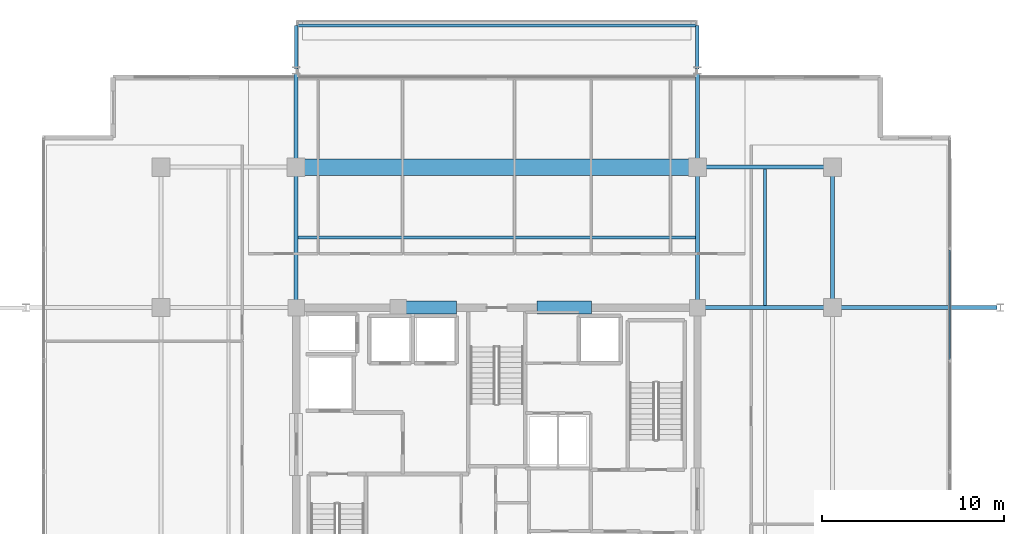
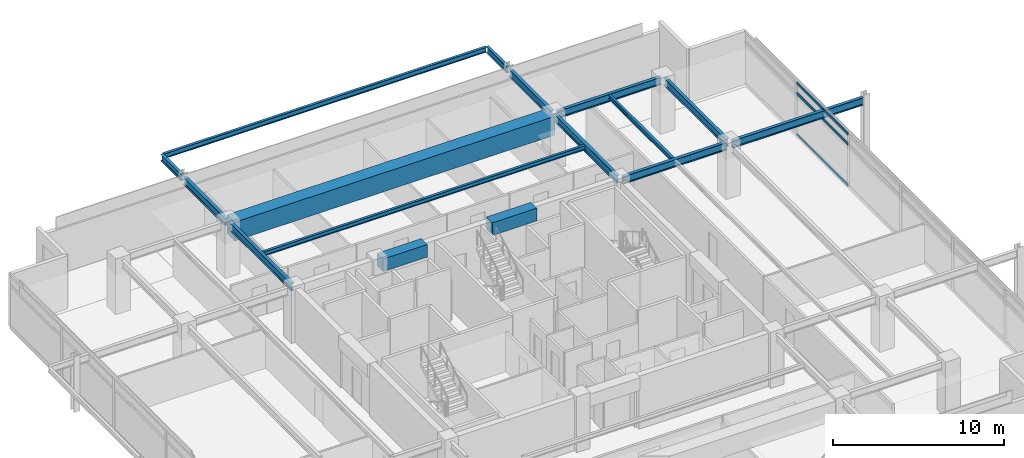
# One storey, part 11 of 21: 16 beams, 3 members, 1 element without a shape of its own.
"""IFC4 building model written with IfcOpenShell, lengths in metres."""

from ifc_helpers import new_model, si_unit, direction, frame, origin, origin_2d, place, context, subcontext, project, spatial, rectangle, hollow_rectangle, i_section, extrude, material, material_profile, profile_set, type_object, element, aggregate, save


model = new_model("IFC4")

# Units and contexts
model_context = context("Model", 3, precision=1e-05, world=origin(), true_north=direction((0.0, 1.0)))
body_context = subcontext(model_context, "Body", "Model", "MODEL_VIEW")
ifc_project = project(units=[si_unit("LENGTHUNIT", "METRE"), si_unit("AREAUNIT", "SQUARE_METRE"), si_unit("VOLUMEUNIT", "CUBIC_METRE"), si_unit("PLANEANGLEUNIT", "RADIAN"), si_unit("MASSUNIT", "GRAM", prefix="KILO")], contexts=[model_context])

# Site, building, storey
site_placement = place(None, origin())
site = spatial("IfcSite", under=ifc_project, at=site_placement, CompositionType="ELEMENT")
building_placement = place(site_placement, origin())
building = spatial("IfcBuilding", under=site, at=building_placement, Name="Kovane Verandah Tower", CompositionType="ELEMENT")
storey_placement = place(building_placement, frame((0.0, 0.0, 326.800048828125)))
storey = spatial("IfcBuildingStorey", under=building, at=storey_placement, Name="L76", CompositionType="ELEMENT", Elevation=326.800048828125)

# Beams
ifc_material_1 = material(Name="Concrete C60/75", Category="concrete")
ifc_material_profile_1 = material_profile(ifc_material_1, rectangle(XDim=0.699951171875, YDim=0.89990234375, at=origin_2d()), Name="RCB700x900")
ifc_profile_set_1 = profile_set([ifc_material_profile_1], Name="Concrete C60/75")
beam_type_1 = type_object("IfcBeamType", Name="BM-LINTEL-700x900", PredefinedType="LINTEL", material=ifc_profile_set_1)
for number, where, z_axis, x_axis, name in (
    (1, (34.800048828125, 36.5, 3.3349609375), (1.0, 0.0, 0.0), (0.0, 1.0, 0.0), "L76 Core Coupling Lintel CL-N1"),
    (2, (42.199951171875, 36.5, 3.3349609375), (1.0, 0.0, 0.0), (0.0, 1.0, 0.0), "L76 Core Coupling Lintel CL-N2"),
):
    element("IfcBeam", number, at=place(storey_placement, frame(where, z_axis=z_axis, x_axis=x_axis)), inside=storey, type_object=beam_type_1, Name=name, PredefinedType="LINTEL", context=body_context, shape_type="SweptSolid", body=[
        extrude(rectangle(XDim=0.699951171875, YDim=0.89990234375, at=origin_2d()), origin(), (0.0, 0.0, 1.0), 3.0),
    ])
ifc_material_2 = material(Name="Concrete C80/95", Category="concrete")
ifc_material_profile_2 = material_profile(ifc_material_2, rectangle(XDim=0.89990234375, YDim=1.35009765625, at=origin_2d()), Name="RCB900x1350")
ifc_profile_set_2 = profile_set([ifc_material_profile_2], Name="Concrete C80/95")
beam_type_2 = type_object("IfcBeamType", Name="BM-TR-900x1350", PredefinedType="BEAM", material=ifc_profile_set_2)
beam_1_placement = place(storey_placement, frame((29.179931640625, 44.199951171875, 3.10986328125), z_axis=(1.0, 0.0, 0.0), x_axis=(0.0, 1.0, 0.0)))
element("IfcBeam", 3, at=beam_1_placement, inside=storey, type_object=beam_type_2, Name="L76 Primary Tower Girder G-RN2", PredefinedType="BEAM", context=body_context, shape_type="SweptSolid", body=[
    extrude(rectangle(XDim=0.89990234375, YDim=1.35009765625, at=origin_2d()), origin(), (0.0, 0.0, 1.0), 21.64013671875),
])
ifc_material_3 = material(Name="Steel S355", Category="steel")
ifc_material_profile_3 = material_profile(ifc_material_3, i_section(OverallWidth=0.2119140625, OverallDepth=0.54443359375, WebThickness=0.0126953125, FlangeThickness=0.021240234375, FilletRadius=0.0126953125, at=origin_2d()), Name="UB533x210x122")
ifc_profile_set_3 = profile_set([ifc_material_profile_3], Name="Steel S355")
beam_type_3 = type_object("IfcBeamType", Name="BM-UB533x122", PredefinedType="BEAM", material=ifc_profile_set_3)
beam_2_placement = place(storey_placement, frame((51.179931640625, 44.199951171875, 3.5126953125), z_axis=(1.0, 0.0, 0.0), x_axis=(0.0, 1.0, 0.0)))
element("IfcBeam", 4, at=beam_2_placement, inside=storey, type_object=beam_type_3, Name="L76 Primary Tower Girder G-RN3", PredefinedType="BEAM", context=body_context, shape_type="SweptSolid", body=[
    extrude(i_section(OverallWidth=0.2119140625, OverallDepth=0.54443359375, WebThickness=0.0126953125, FlangeThickness=0.021240234375, FilletRadius=0.0126953125, at=origin_2d()), origin(), (0.0, 0.0, 1.0), 7.0400390625),
])
beam_3_placement = place(storey_placement, frame((58.39990234375, 36.679931640625, 3.5126953125), z_axis=(0.0, 1.0, 0.0), x_axis=(-1.0, 0.0, 0.0)))
element("IfcBeam", 5, at=beam_3_placement, inside=storey, type_object=beam_type_3, Name="L76 Primary Tower Girder G-RE3", PredefinedType="BEAM", context=body_context, shape_type="SweptSolid", body=[
    extrude(i_section(OverallWidth=0.2119140625, OverallDepth=0.54443359375, WebThickness=0.0126953125, FlangeThickness=0.021240234375, FilletRadius=0.0126953125, at=origin_2d()), origin(), (0.0, 0.0, 1.0), 7.340087890625),
])
beam_4_placement = place(storey_placement, frame((51.179931640625, 36.5, 3.5126953125), z_axis=(1.0, 0.0, 0.0), x_axis=(0.0, 1.0, 0.0)))
element("IfcBeam", 6, at=beam_4_placement, inside=storey, type_object=beam_type_3, Name="L76 Primary Tower Girder G-E2", PredefinedType="BEAM", context=body_context, shape_type="SweptSolid", body=[
    extrude(i_section(OverallWidth=0.2119140625, OverallDepth=0.54443359375, WebThickness=0.0126953125, FlangeThickness=0.021240234375, FilletRadius=0.0126953125, at=origin_2d()), origin(), (0.0, 0.0, 1.0), 7.0400390625),
])
for number, where, z_axis, x_axis, name in (
    (7, (29.0, 36.679931640625, 3.5126953125), (0.0, 1.0, 0.0), (-1.0, 0.0, 0.0), "L76 Primary Tower Girder G-N1"),
    (8, (51.0, 36.679931640625, 3.5126953125), (0.0, 1.0, 0.0), (-1.0, 0.0, 0.0), "L76 Primary Tower Girder G-N2"),
):
    element("IfcBeam", number, at=place(storey_placement, frame(where, z_axis=z_axis, x_axis=x_axis)), inside=storey, type_object=beam_type_3, Name=name, PredefinedType="BEAM", context=body_context, shape_type="SweptSolid", body=[
        extrude(i_section(OverallWidth=0.2119140625, OverallDepth=0.54443359375, WebThickness=0.0126953125, FlangeThickness=0.021240234375, FilletRadius=0.0126953125, at=origin_2d()), origin(), (0.0, 0.0, 1.0), 7.340087890625),
    ])
beam_5_placement = place(storey_placement, frame((58.580078125, 36.5, 3.48779296875), z_axis=(1.0, 0.0, 0.0), x_axis=(0.0, 1.0, 0.0)))
element("IfcBeam", 9, at=beam_5_placement, inside=storey, type_object=beam_type_3, Name="L76 Primary Tower Girder G-VE2", PredefinedType="BEAM", context=body_context, shape_type="SweptSolid", body=[
    extrude(i_section(OverallWidth=0.2119140625, OverallDepth=0.54443359375, WebThickness=0.0126953125, FlangeThickness=0.021240234375, FilletRadius=0.0126953125, at=origin_2d()), origin(), (0.0, 0.0, 1.0), 8.83984375),
])
for number, where, z_axis, x_axis, name in (
    (10, (29.0, 44.3798828125, 3.48779296875), (0.0, 1.0, 0.0), (-1.0, 0.0, 0.0), "L76 Primary Tower Girder G-VN1"),
    (11, (51.0, 44.3798828125, 3.48779296875), (0.0, 1.0, 0.0), (-1.0, 0.0, 0.0), "L76 Primary Tower Girder G-VN2"),
):
    element("IfcBeam", number, at=place(storey_placement, frame(where, z_axis=z_axis, x_axis=x_axis)), inside=storey, type_object=beam_type_3, Name=name, PredefinedType="BEAM", context=body_context, shape_type="SweptSolid", body=[
        extrude(i_section(OverallWidth=0.2119140625, OverallDepth=0.54443359375, WebThickness=0.0126953125, FlangeThickness=0.021240234375, FilletRadius=0.0126953125, at=origin_2d()), origin(), (0.0, 0.0, 1.0), 4.940185546875),
    ])

# Curtain wall, members
ifc_material_4 = material(Name="Champagne Anodised Aluminium Frame with Low-E Clear Laminated Glass", Category="aluminium")
curtain_wall_type = type_object("IfcCurtainWallType", Name="CW-SYS-05-HIGH", PredefinedType="NOTDEFINED", material=ifc_material_4)
curtain_wall_placement = place(storey_placement, origin())
curtain_wall = element("IfcCurtainWall", 12, at=curtain_wall_placement, inside=storey, type_object=curtain_wall_type, Name="L76 E Unitised Curtain Wall", PredefinedType="NOTDEFINED")
ifc_material_5 = material(Name="Champagne Anodised Aluminium 6063-T6", Category="aluminium")
ifc_material_profile_4 = material_profile(ifc_material_5, hollow_rectangle(XDim=0.0849609375, YDim=0.18994140625, WallThickness=0.00390625, at=origin_2d()), Name="AL85x190x4")
ifc_profile_set_4 = profile_set([ifc_material_profile_4], Name="Champagne Anodised Aluminium 6063-T6")
member_type = type_object("IfcMemberType", Name="CW-TRN-85x190", PredefinedType="USERDEFINED", material=ifc_profile_set_4)
member_1_placement = place(storey_placement, frame((64.83154296875, 33.6552734375, 0.050048828125), z_axis=(0.0, 1.0, 0.0), x_axis=(-1.0, 0.0, 0.0)))
member_1 = element("IfcMember", 13, at=member_1_placement, type_object=member_type, Name="L76 E Unitised Curtain Wall Transom TB Bay 5", ObjectType="TRANSOM", PredefinedType="USERDEFINED", context=body_context, shape_type="SweptSolid", body=[
    extrude(hollow_rectangle(XDim=0.0849609375, YDim=0.18994140625, WallThickness=0.00390625, at=origin_2d()), origin(), (0.0, 0.0, 1.0), 6.005126953125),
])
member_2_placement = place(storey_placement, frame((64.83154296875, 33.6552734375, 3.0048828125), z_axis=(0.0, 1.0, 0.0), x_axis=(-1.0, 0.0, 0.0)))
member_2 = element("IfcMember", 14, at=member_2_placement, type_object=member_type, Name="L76 E Unitised Curtain Wall Transom TM Bay 5", ObjectType="TRANSOM", PredefinedType="USERDEFINED", context=body_context, shape_type="SweptSolid", body=[
    extrude(hollow_rectangle(XDim=0.0849609375, YDim=0.18994140625, WallThickness=0.00390625, at=origin_2d()), origin(), (0.0, 0.0, 1.0), 6.005126953125),
])
member_3_placement = place(storey_placement, frame((64.83154296875, 33.6552734375, 3.73486328125), z_axis=(0.0, 1.0, 0.0), x_axis=(-1.0, 0.0, 0.0)))
member_3 = element("IfcMember", 15, at=member_3_placement, type_object=member_type, Name="L76 E Unitised Curtain Wall Transom TT Bay 5", ObjectType="TRANSOM", PredefinedType="USERDEFINED", context=body_context, shape_type="SweptSolid", body=[
    extrude(hollow_rectangle(XDim=0.0849609375, YDim=0.18994140625, WallThickness=0.00390625, at=origin_2d()), origin(), (0.0, 0.0, 1.0), 6.005126953125),
])
aggregate(curtain_wall, [member_1, member_2, member_3])

# Beams
ifc_material_profile_5 = material_profile(ifc_material_3, i_section(OverallWidth=0.1669921875, OverallDepth=0.310302734375, WebThickness=0.0078125, FlangeThickness=0.013671875, FilletRadius=0.0087890625, at=origin_2d()), Name="UB305x165x54")
ifc_profile_set_5 = profile_set([ifc_material_profile_5], Name="Steel S355")
beam_type_4 = type_object("IfcBeamType", Name="JST-UB305x54", PredefinedType="JOIST", material=ifc_profile_set_5)
beam_6_placement = place(storey_placement, frame((29.10400390625, 40.35009765625, 3.629638671875), z_axis=(1.0, 0.0, 0.0), x_axis=(0.0, 1.0, 0.0)))
element("IfcBeam", 16, at=beam_6_placement, inside=storey, type_object=beam_type_4, Name="L76 Secondary Composite Joist J-N1", PredefinedType="JOIST", context=body_context, shape_type="SweptSolid", body=[
    extrude(i_section(OverallWidth=0.1669921875, OverallDepth=0.310302734375, WebThickness=0.0078125, FlangeThickness=0.013671875, FilletRadius=0.0087890625, at=origin_2d()), origin(), (0.0, 0.0, 1.0), 21.7919921875),
])
beam_7_placement = place(storey_placement, frame((54.699951171875, 36.60400390625, 3.629638671875), z_axis=(0.0, 1.0, 0.0), x_axis=(-1.0, 0.0, 0.0)))
element("IfcBeam", 17, at=beam_7_placement, inside=storey, type_object=beam_type_4, Name="L76 Secondary Composite Joist J-NE1", PredefinedType="JOIST", context=body_context, shape_type="SweptSolid", body=[
    extrude(i_section(OverallWidth=0.1669921875, OverallDepth=0.310302734375, WebThickness=0.0078125, FlangeThickness=0.013671875, FilletRadius=0.0087890625, at=origin_2d()), origin(), (0.0, 0.0, 1.0), 7.491943359375),
])
ifc_material_profile_6 = material_profile(ifc_material_3, i_section(OverallWidth=0.19287109375, OverallDepth=0.46728515625, WebThickness=0.011474609375, FlangeThickness=0.01953125, FilletRadius=0.01025390625, at=origin_2d()), Name="UB457x191x98")
ifc_profile_set_6 = profile_set([ifc_material_profile_6], Name="Steel S355")
beam_type_5 = type_object("IfcBeamType", Name="JST-UB457x98", PredefinedType="JOIST", material=ifc_profile_set_6)
for number, where, z_axis, x_axis, name in (
    (18, (29.0, 49.580078125, 3.5263671875), (0.0, 1.0, 0.0), (-1.0, 0.0, 0.0), "L76 North Planter Girder 1"),
    (19, (51.0, 49.580078125, 3.5263671875), (0.0, 1.0, 0.0), (-1.0, 0.0, 0.0), "L76 North Planter Girder 2"),
):
    element("IfcBeam", number, at=place(storey_placement, frame(where, z_axis=z_axis, x_axis=x_axis)), inside=storey, type_object=beam_type_5, Name=name, PredefinedType="JOIST", context=body_context, shape_type="SweptSolid", body=[
        extrude(i_section(OverallWidth=0.19287109375, OverallDepth=0.46728515625, WebThickness=0.011474609375, FlangeThickness=0.01953125, FilletRadius=0.01025390625, at=origin_2d()), origin(), (0.0, 0.0, 1.0), 2.38818359375),
    ])
ifc_material_profile_7 = material_profile(ifc_material_3, i_section(OverallWidth=0.173095703125, OverallDepth=0.36328125, WebThickness=0.009033203125, FlangeThickness=0.015625, FilletRadius=0.01025390625, at=origin_2d()), Name="UB356x171x67")
ifc_profile_set_7 = profile_set([ifc_material_profile_7], Name="Steel S355")
beam_type_6 = type_object("IfcBeamType", Name="SPD-UB356x67", PredefinedType="USERDEFINED", material=ifc_profile_set_7)
beam_8_placement = place(storey_placement, frame((29.094482421875, 51.96826171875, 3.578369140625), z_axis=(1.0, 0.0, 0.0), x_axis=(0.0, 1.0, 0.0)))
element("IfcBeam", 20, at=beam_8_placement, inside=storey, type_object=beam_type_6, Name="L76 North Planter Edge Spandrel", ObjectType="SPANDREL", PredefinedType="USERDEFINED", context=body_context, shape_type="SweptSolid", body=[
    extrude(i_section(OverallWidth=0.173095703125, OverallDepth=0.36328125, WebThickness=0.009033203125, FlangeThickness=0.015625, FilletRadius=0.01025390625, at=origin_2d()), origin(), (0.0, 0.0, 1.0), 21.81103515625),
])

save(model, "model.ifc")
